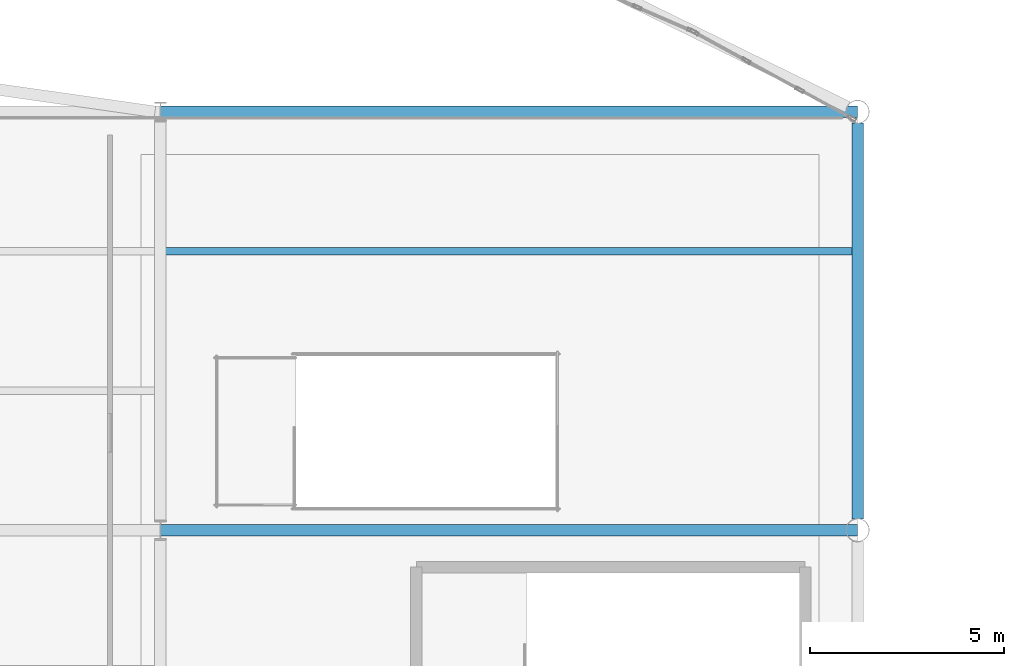
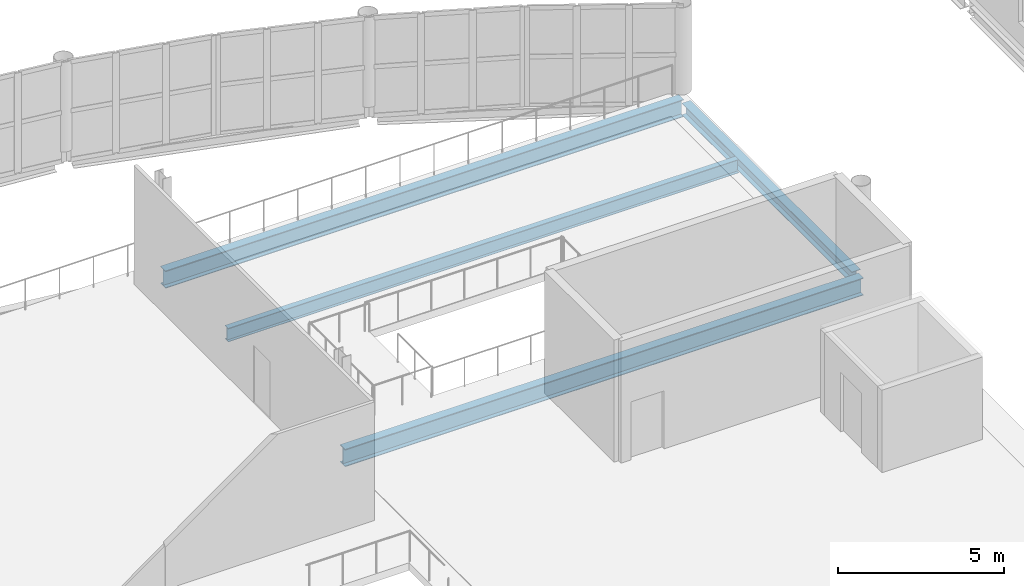
# One storey, part 73 of 134: 4 beams.
"""IFC4 building model written with IfcOpenShell, lengths in metres."""

from ifc_helpers import new_model, si_unit, direction, frame, origin, origin_2d, place, context, subcontext, project, spatial, i_section, extrude, material, material_profile, profile_set, type_object, element, save


model = new_model("IFC4")

# Units and contexts
model_context = context("Model", 3, precision=1e-05, world=origin(), true_north=direction((0.0, 1.0)))
body_context = subcontext(model_context, "Body", "Model", "MODEL_VIEW")
ifc_project = project(units=[si_unit("LENGTHUNIT", "METRE"), si_unit("AREAUNIT", "SQUARE_METRE"), si_unit("VOLUMEUNIT", "CUBIC_METRE"), si_unit("PLANEANGLEUNIT", "RADIAN"), si_unit("MASSUNIT", "GRAM", prefix="KILO")], contexts=[model_context])

# Site, building, storey
site_placement = place(None, origin())
site = spatial("IfcSite", under=ifc_project, at=site_placement, CompositionType="ELEMENT")
building_placement = place(site_placement, origin())
building = spatial("IfcBuilding", under=site, at=building_placement, Name="Tamarisk Ironworks Central Station", CompositionType="ELEMENT")
storey_placement = place(building_placement, frame((0.0, 0.0, 12.60009765625)))
storey = spatial("IfcBuildingStorey", under=building, at=storey_placement, Name="L02", CompositionType="ELEMENT", Elevation=12.60009765625)

# Beams
ifc_material = material(Name="Structural steel S355J2", Category="steel")
ifc_material_profile_1 = material_profile(ifc_material, i_section(OverallWidth=0.199951171875, OverallDepth=0.5, WebThickness=0.01025390625, FlangeThickness=0.01611328125, at=origin_2d()), Name="IPE 500")
ifc_profile_set_1 = profile_set([ifc_material_profile_1], Name="Structural steel S355J2")
beam_type_1 = type_object("IfcBeamType", Name="BM-B02", PredefinedType="BEAM", material=ifc_profile_set_1)
beam_1_placement = place(storey_placement, frame((90.135009765625, 108.0, -0.530029296875), z_axis=(1.0, 0.0, 0.0), x_axis=(0.0, 1.0, 0.0)))
element("IfcBeam", 1, at=beam_1_placement, inside=storey, type_object=beam_type_1, Name="L02 secondary composite beam 0129", PredefinedType="BEAM", context=body_context, shape_type="SweptSolid", body=[
    extrude(i_section(OverallWidth=0.199951171875, OverallDepth=0.5, WebThickness=0.01025390625, FlangeThickness=0.01611328125, at=origin_2d()), origin(), (0.0, 0.0, 1.0), 17.72998046875),
])
ifc_material_profile_2 = material_profile(ifc_material, i_section(OverallWidth=0.300048828125, OverallDepth=0.639892578125, WebThickness=0.013427734375, FlangeThickness=0.02587890625, at=origin_2d()), Name="HEA 650")
ifc_profile_set_2 = profile_set([ifc_material_profile_2], Name="Structural steel S355J2")
beam_type_2 = type_object("IfcBeamType", Name="BM-G02", PredefinedType="BEAM", material=ifc_profile_set_2)
for number, where, z_axis, x_axis, name in (
    (2, (90.00390625, 100.800048828125, -0.60009765625), (1.0, 0.0, 0.0), (0.0, 1.0, 0.0), "L02 primary girder X-0387"),
    (3, (90.00390625, 111.60009765625, -0.60009765625), (1.0, 0.0, 0.0), (0.0, 1.0, 0.0), "L02 primary girder X-0400"),
):
    element("IfcBeam", number, at=place(storey_placement, frame(where, z_axis=z_axis, x_axis=x_axis)), inside=storey, type_object=beam_type_2, Name=name, PredefinedType="BEAM", context=body_context, shape_type="SweptSolid", body=[
        extrude(i_section(OverallWidth=0.300048828125, OverallDepth=0.639892578125, WebThickness=0.013427734375, FlangeThickness=0.02587890625, at=origin_2d()), origin(), (0.0, 0.0, 1.0), 17.9921875),
    ])
ifc_material_profile_3 = material_profile(ifc_material, i_section(OverallWidth=0.300048828125, OverallDepth=0.43994140625, WebThickness=0.011474609375, FlangeThickness=0.02099609375, at=origin_2d()), Name="HEA 450")
ifc_profile_set_3 = profile_set([ifc_material_profile_3], Name="Structural steel S355J2")
beam_type_3 = type_object("IfcBeamType", Name="BM-G06", PredefinedType="BEAM", material=ifc_profile_set_3)
beam_2_placement = place(storey_placement, frame((108.0, 101.087890625, -0.5), z_axis=(0.0, 1.0, 0.0), x_axis=(-1.0, 0.0, 0.0)))
element("IfcBeam", 4, at=beam_2_placement, inside=storey, type_object=beam_type_3, Name="L02 primary girder Y-0487", PredefinedType="BEAM", context=body_context, shape_type="SweptSolid", body=[
    extrude(i_section(OverallWidth=0.300048828125, OverallDepth=0.43994140625, WebThickness=0.011474609375, FlangeThickness=0.02099609375, at=origin_2d()), origin(), (0.0, 0.0, 1.0), 10.22412109375),
])

save(model, "model.ifc")
